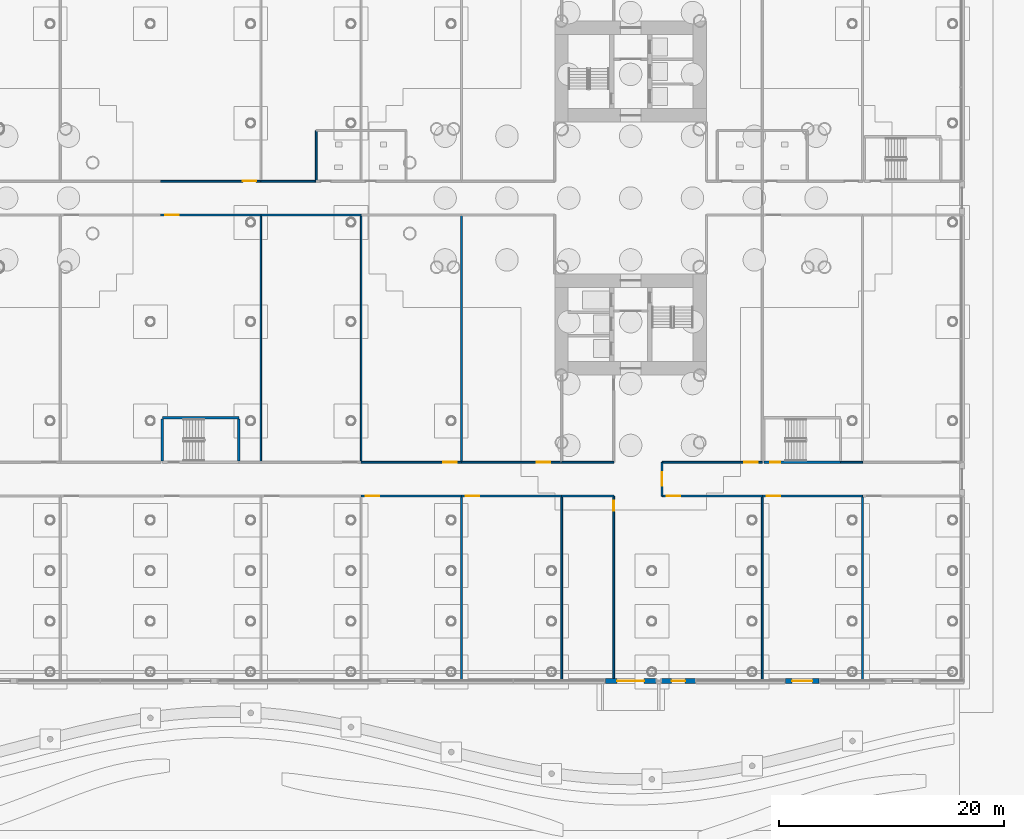
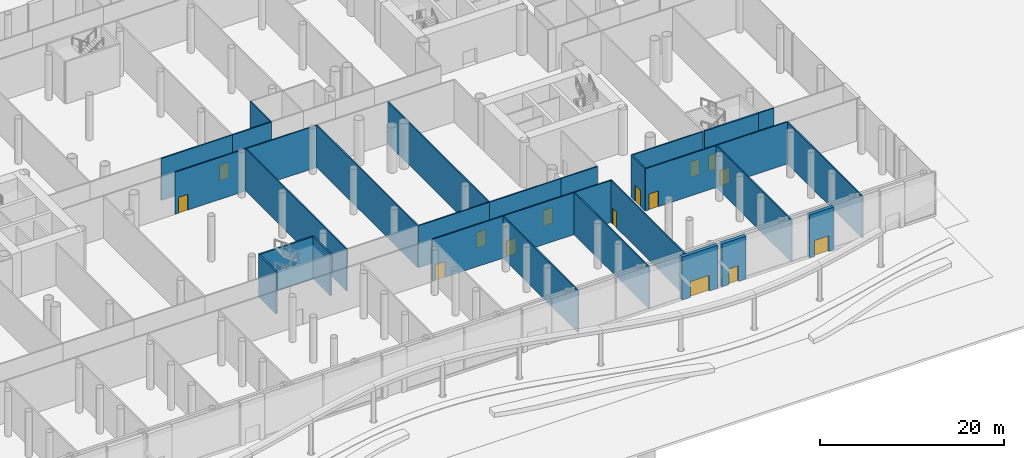
# One storey, part 31 of 75: 31 walls, 15 doors, 15 openings.
"""IFC4 building model written with IfcOpenShell, lengths in metres."""

import ifcopenshell
import ifcopenshell.guid

model = None  # the IFC model being written
_history = None  # IfcOwnerHistory: only IFC2X3 demands one
_inside = {}  # id of a spatial element -> (the spatial element, [elements in it])
_under = {}  # id of a project, library or spatial element -> (it, [spatial elements below it])
_declared = {}  # id of a project -> (the project, [libraries it declares])
_typed = {}  # id of a type object -> (the type object, [elements of that type])
_made_of = {}  # id of a material, layer set ... -> (it, [elements and type objects made of it])


def new_model(schema):
    """Start an empty IFC model of exactly this schema.

    Asked for "IFC4X3", IfcOpenShell would pick the latest addendum, in which some entities
    have other attributes; the version numbers below select the first issue.
    IFC2X3 requires an IfcOwnerHistory on every rooted entity: one is made here for all.
    """
    global model, _history
    if schema == "IFC4X3":
        model = ifcopenshell.file(schema_version=(4, 3, 0, 0))
    else:
        model = ifcopenshell.file(schema=schema)
    _inside.clear()
    _under.clear()
    _declared.clear()
    _typed.clear()
    _made_of.clear()
    _history = None
    if model.schema == "IFC2X3":
        org = make("IfcOrganization", Name="unknown")
        user = make(
            "IfcPersonAndOrganization",
            ThePerson=make("IfcPerson", FamilyName="unknown"),
            TheOrganization=org,
        )
        app = make(
            "IfcApplication",
            ApplicationDeveloper=org,
            Version="unknown",
            ApplicationFullName="unknown",
            ApplicationIdentifier="unknown",
        )
        _history = make(
            "IfcOwnerHistory",
            OwningUser=user,
            OwningApplication=app,
            ChangeAction="ADDED",
            CreationDate=0,
        )
    return model


def make(cls, **values):
    """One entity of the class cls with the attributes given. An attribute that is None is left unset."""
    return model.create_entity(
        cls, **{name: value for name, value in values.items() if value is not None}
    )


def rooted(cls, **values):
    """An entity with a GlobalId (a new one), such as an element, a storey or a relation."""
    return make(cls, GlobalId=ifcopenshell.guid.new(), OwnerHistory=_history, **values)


def si_unit(unit_type, name, prefix=None):
    """IfcSIUnit, for example si_unit("LENGTHUNIT", "METRE", prefix="MILLI")."""
    return make("IfcSIUnit", UnitType=unit_type, Prefix=prefix, Name=name)


def assignment(units):
    """IfcUnitAssignment: the units of a project."""
    return None if units is None else make("IfcUnitAssignment", Units=units)


def point(xyz):
    """IfcCartesianPoint."""
    return None if xyz is None else make("IfcCartesianPoint", Coordinates=xyz)


def direction(xyz):
    """IfcDirection."""
    return None if xyz is None else make("IfcDirection", DirectionRatios=xyz)


def frame(location, z_axis=None, x_axis=None):
    """IfcAxis2Placement3D, a coordinate frame: its origin and axes. An axis left out is left unset."""
    return make(
        "IfcAxis2Placement3D",
        Location=point(location),
        Axis=direction(z_axis),
        RefDirection=direction(x_axis),
    )


def frame_2d(location, x_axis=None):
    """IfcAxis2Placement2D, a coordinate frame in the plane: its origin and x axis."""
    return make(
        "IfcAxis2Placement2D", Location=point(location), RefDirection=direction(x_axis)
    )


def origin():
    """The frame at (0, 0, 0) with its axes left unset."""
    return frame((0.0, 0.0, 0.0))


def place(relative_to, where):
    """IfcLocalPlacement: puts the frame where relative to a parent placement (None: the world)."""
    return make(
        "IfcLocalPlacement", PlacementRelTo=relative_to, RelativePlacement=where
    )


def context(
    kind, dimensions, precision=None, world=None, true_north=None, identifier=None
):
    """IfcGeometricRepresentationContext, for example the 3D "Model" context."""
    return make(
        "IfcGeometricRepresentationContext",
        ContextIdentifier=identifier,
        ContextType=kind,
        CoordinateSpaceDimension=dimensions,
        Precision=precision,
        WorldCoordinateSystem=world,
        TrueNorth=true_north,
    )


def subcontext(parent, identifier, kind, view, scale=None):
    """IfcGeometricRepresentationSubContext, for example "Body" below "Model"."""
    return make(
        "IfcGeometricRepresentationSubContext",
        ContextIdentifier=identifier,
        ContextType=kind,
        ParentContext=parent,
        TargetScale=scale,
        TargetView=view,
    )


def project(units=None, contexts=None):
    """IfcProject with its units and contexts."""
    return rooted(
        "IfcProject",
        Name="project",
        RepresentationContexts=contexts,
        UnitsInContext=assignment(units),
    )


def spatial(cls, under=None, at=None, **own):
    """A site, building, storey or space (cls), placed at a placement, below another one or the project."""
    s = rooted(cls, ObjectPlacement=at, **own)
    if under is not None:
        _under.setdefault(under.id(), (under, []))[1].append(s)
    return s


def profile(cls, at=None, kind="AREA", **sizes):
    """A parametric profile (cls). Its sizes go by their IFC names, for example OverallWidth=200.0."""
    return make(cls, ProfileType=kind, Position=at, **sizes)


def rectangle(**sizes):
    """IfcRectangleProfileDef."""
    return profile("IfcRectangleProfileDef", **sizes)


def extrude(swept, where, along, depth):
    """IfcExtrudedAreaSolid: the profile swept, set in the frame where, extruded along a direction by depth."""
    return make(
        "IfcExtrudedAreaSolid",
        SweptArea=swept,
        Position=where,
        ExtrudedDirection=direction(along),
        Depth=depth,
    )


def shape(context_of_items, identifier, shape_type, items):
    """IfcShapeRepresentation: the items that make up one representation, for example the "Body"."""
    return make(
        "IfcShapeRepresentation",
        ContextOfItems=context_of_items,
        RepresentationIdentifier=identifier,
        RepresentationType=shape_type,
        Items=items,
    )


def material(Name=None, Category=None):
    """IfcMaterial."""
    return make("IfcMaterial", Name=Name, Category=Category)


def layer(
    of_material, thickness, ventilated=None, Name=None, Category=None, Priority=None
):
    """IfcMaterialLayer: one layer of a wall or slab, of a material (None: an air gap)."""
    return make(
        "IfcMaterialLayer",
        Material=of_material,
        LayerThickness=thickness,
        IsVentilated=ventilated,
        Name=Name,
        Category=Category,
        Priority=Priority,
    )


def layer_set(layers, Name=None):
    """IfcMaterialLayerSet."""
    return make("IfcMaterialLayerSet", MaterialLayers=layers, LayerSetName=Name)


def made_of(thing, what):
    """Note that an element or type object is made of a material, layer set ...; save() writes the relation."""
    if what is not None:
        _made_of.setdefault(what.id(), (what, []))[1].append(thing)
    return thing


def type_object(cls, material=None, **own):
    """A type object (cls), such as IfcWallType, which elements share."""
    return made_of(rooted(cls, **own), material)


def element(
    cls,
    number,
    at=None,
    inside=None,
    cuts=None,
    type_object=None,
    material=None,
    context=None,
    identifier="Body",
    shape_type=None,
    held_by="IfcProductDefinitionShape",
    body=None,
    shapes=None,
    **own,
):
    """One element of the class cls, such as IfcWall. Its Tag is "e" and its number.

    at: its placement. inside: the storey or other place that contains it. cuts: it is an
    opening in that element (IfcRelVoidsElement). A single representation is given by context,
    identifier, shape_type and body (its items); several are given by shapes. held_by: the class
    of the entity that holds the representations. save() writes the other relations.
    """
    e = rooted(cls, Tag="e%d" % number, ObjectPlacement=at, **own)
    if body is not None:
        shapes = [shape(context, identifier, shape_type, body)]
    if shapes is not None:
        e.Representation = make(held_by, Representations=shapes)
    if inside is not None:
        _inside.setdefault(inside.id(), (inside, []))[1].append(e)
    if cuts is not None:
        rooted(
            "IfcRelVoidsElement", RelatingBuildingElement=cuts, RelatedOpeningElement=e
        )
    if type_object is not None:
        _typed.setdefault(type_object.id(), (type_object, []))[1].append(e)
    return made_of(e, material)


def fill(opening, filler):
    """IfcRelFillsElement: the door or window that sits in an opening."""
    return rooted(
        "IfcRelFillsElement",
        RelatingOpeningElement=opening,
        RelatedBuildingElement=filler,
    )


def aggregate(whole, parts):
    """IfcRelAggregates: a whole, such as a stair, and the parts it consists of."""
    return rooted("IfcRelAggregates", RelatingObject=whole, RelatedObjects=parts)


def save(model, path):
    """Write the relations noted so far, then the file.

    IfcRelAggregates (storeys below a building ...), IfcRelContainedInSpatialStructure (elements
    in a storey), IfcRelDefinesByType, IfcRelAssociatesMaterial and IfcRelDeclares: one each for
    every whole, place, type object, material and project.
    """
    for whole, parts in _under.values():
        aggregate(whole, parts)
    for where, things in _inside.values():
        rooted(
            "IfcRelContainedInSpatialStructure",
            RelatedElements=things,
            RelatingStructure=where,
        )
    for kind, things in _typed.values():
        rooted("IfcRelDefinesByType", RelatedObjects=things, RelatingType=kind)
    for what, things in _made_of.values():
        rooted("IfcRelAssociatesMaterial", RelatedObjects=things, RelatingMaterial=what)
    for by, libraries in _declared.values():
        rooted("IfcRelDeclares", RelatingContext=by, RelatedDefinitions=libraries)
    model.write(path)


model = new_model("IFC4")

# Units and contexts
model_context = context("Model", 3, precision=1e-05, world=origin(), true_north=direction((0.0, 1.0)))
body_context = subcontext(model_context, "Body", "Model", "MODEL_VIEW")
ifc_project = project(units=[si_unit("LENGTHUNIT", "METRE"), si_unit("AREAUNIT", "SQUARE_METRE"), si_unit("VOLUMEUNIT", "CUBIC_METRE"), si_unit("PLANEANGLEUNIT", "RADIAN"), si_unit("MASSUNIT", "GRAM", prefix="KILO")], contexts=[model_context])

# Site, building, storey
site_placement = place(None, origin())
site = spatial("IfcSite", under=ifc_project, at=site_placement, CompositionType="ELEMENT")
building_placement = place(site_placement, origin())
building = spatial("IfcBuilding", under=site, at=building_placement, Name="Ipe Terrace Towers", CompositionType="ELEMENT")
storey_placement = place(building_placement, origin())
storey = spatial("IfcBuildingStorey", under=building, at=storey_placement, Name="L00", CompositionType="ELEMENT", Elevation=0.0)

# Wall, opening, door
ifc_material_1 = material(Name="Gypsum board partition", Category="plasterboard")
ifc_layer_1 = layer(ifc_material_1, 0.14990234375)
ifc_layer_set_1 = layer_set([ifc_layer_1], Name="Gypsum board partition 150 mm")
wall_type_1 = type_object("IfcWallType", Name="Gypsum board partition 150 mm", PredefinedType="PARTITIONING", material=ifc_layer_set_1)
wall_1_placement = place(storey_placement, frame((-5.81005859375, -1.5, 0.0), z_axis=(0.0, 0.0, 1.0), x_axis=(1.0, 0.0, 0.0)))
wall_1 = element("IfcWall", 1, at=wall_1_placement, inside=storey, type_object=wall_type_1, Name="Gypsum board partition T2 L00 pd-r30-w4", PredefinedType="PARTITIONING", context=body_context, shape_type="SweptSolid", body=[
    extrude(rectangle(XDim=8.920166015625, YDim=0.14990234375, at=frame_2d((4.4599609375, 0.0))), origin(), (0.0, 0.0, 1.0), 5.580078125),
])
opening_1_placement = place(wall_1_placement, frame((0.39990234375, 0.0, 0.0)))
opening_1 = element("IfcOpeningElement", 2, at=opening_1_placement, cuts=wall_1, Name="Opening PD-L00-r30", PredefinedType="OPENING", context=body_context, shape_type="SweptSolid", body=[
    extrude(rectangle(XDim=1.199951171875, YDim=2.10009765625, at=frame_2d((0.60009765625, 1.050048828125))), frame((0.0, 0.0849609375, 0.0), z_axis=(0.0, -1.0, 0.0), x_axis=(1.0, 0.0, 0.0)), (0.0, 0.0, 1.0), 0.169921875),
])
ifc_material_2 = material(Name="Fire-rated timber door leaf", Category="wood")
door_type_1 = type_object("IfcDoorType", Name="Lounge door 1200 x 2100 FD30S", OperationType="NOTDEFINED", PredefinedType="DOOR", material=ifc_material_2)
door_1_placement = place(opening_1_placement, origin())
door_1 = element("IfcDoor", 3, at=door_1_placement, inside=storey, type_object=door_type_1, Name="Lounge door PD-L00-r30", OperationType="SINGLE_SWING_RIGHT", OverallHeight=2.10009765625, OverallWidth=1.199951171875, PredefinedType="DOOR", context=body_context, shape_type="SweptSolid", body=[
    extrude(rectangle(XDim=1.199951171875, YDim=2.10009765625, at=frame_2d((0.60009765625, 1.050048828125))), frame((0.0, 0.02490234375, 0.0), z_axis=(0.0, -1.0, 0.0), x_axis=(1.0, 0.0, 0.0)), (0.0, 0.0, 1.0), 0.050048828125),
])
fill(opening_1, door_1)

# Wall
wall_2_placement = place(storey_placement, frame((3.110107421875, -1.5, 0.0), z_axis=(0.0, 0.0, 1.0), x_axis=(0.0, -1.0, 0.0)))
element("IfcWall", 4, at=wall_2_placement, inside=storey, type_object=wall_type_1, Name="Gypsum board partition T2 L00 pd-r30-r34-w6", PredefinedType="PARTITIONING", context=body_context, shape_type="SweptSolid", body=[
    extrude(rectangle(XDim=22.0, YDim=0.14990234375, at=frame_2d((11.0, 0.0))), origin(), (0.0, 0.0, 1.0), 5.580078125),
])

# Wall, opening, door
wall_3_placement = place(storey_placement, frame((3.110107421875, 1.5, 0.0), z_axis=(0.0, 0.0, 1.0), x_axis=(-1.0, 0.0, 0.0)))
wall_3 = element("IfcWall", 5, at=wall_3_placement, inside=storey, type_object=wall_type_1, Name="Gypsum board partition T2 L00 pd-r31-w8", PredefinedType="PARTITIONING", context=body_context, shape_type="SweptSolid", body=[
    extrude(rectangle(XDim=8.920166015625, YDim=0.14990234375, at=frame_2d((4.4599609375, 0.0))), origin(), (0.0, 0.0, 1.0), 5.580078125),
])
opening_2_placement = place(wall_3_placement, frame((0.39990234375, 0.0, 0.0)))
opening_2 = element("IfcOpeningElement", 6, at=opening_2_placement, cuts=wall_3, Name="Opening PD-L00-r31", PredefinedType="OPENING", context=body_context, shape_type="SweptSolid", body=[
    extrude(rectangle(XDim=1.199951171875, YDim=2.10009765625, at=frame_2d((0.60009765625, 1.050048828125))), frame((0.0, 0.0849609375, 0.0), z_axis=(0.0, -1.0, 0.0), x_axis=(1.0, 0.0, 0.0)), (0.0, 0.0, 1.0), 0.169921875),
])
door_2_placement = place(opening_2_placement, origin())
door_2 = element("IfcDoor", 7, at=door_2_placement, inside=storey, type_object=door_type_1, Name="Lounge door PD-L00-r31", OperationType="SINGLE_SWING_RIGHT", OverallHeight=2.10009765625, OverallWidth=1.199951171875, PredefinedType="DOOR", context=body_context, shape_type="SweptSolid", body=[
    extrude(rectangle(XDim=1.199951171875, YDim=2.10009765625, at=frame_2d((0.60009765625, 1.050048828125))), frame((0.0, 0.02490234375, 0.0), z_axis=(0.0, -1.0, 0.0), x_axis=(1.0, 0.0, 0.0)), (0.0, 0.0, 1.0), 0.050048828125),
])
fill(opening_2, door_2)

# Walls
wall_4_placement = place(storey_placement, frame((8.030029296875, 1.5, 0.0), z_axis=(0.0, 0.0, 1.0), x_axis=(-1.0, 0.0, 0.0)))
element("IfcWall", 8, at=wall_4_placement, inside=storey, type_object=wall_type_1, Name="Gypsum board partition T2 L00 pd-r32-w10", PredefinedType="PARTITIONING", context=body_context, shape_type="SweptSolid", body=[
    extrude(rectangle(XDim=4.919921875, YDim=0.14990234375, at=frame_2d((2.4599609375, 0.0))), origin(), (0.0, 0.0, 1.0), 5.580078125),
])
wall_5_placement = place(storey_placement, frame((3.110107421875, -1.5, 0.0), z_axis=(0.0, 0.0, 1.0), x_axis=(1.0, 0.0, 0.0)))
element("IfcWall", 9, at=wall_5_placement, inside=storey, type_object=wall_type_1, Name="Gypsum board partition T2 L00 pd-r34-w16", PredefinedType="PARTITIONING", context=body_context, shape_type="SweptSolid", body=[
    extrude(rectangle(XDim=8.919921875, YDim=0.14990234375, at=frame_2d((4.4599609375, 0.0))), origin(), (0.0, 0.0, 1.0), 5.580078125),
])
wall_6_placement = place(storey_placement, frame((12.030029296875, -1.5, 0.0), z_axis=(0.0, 0.0, 1.0), x_axis=(0.0, -1.0, 0.0)))
element("IfcWall", 10, at=wall_6_placement, inside=storey, type_object=wall_type_1, Name="Gypsum board partition T2 L00 pd-r34-r37-w17", PredefinedType="PARTITIONING", context=body_context, shape_type="SweptSolid", body=[
    extrude(rectangle(XDim=22.0, YDim=0.14990234375, at=frame_2d((11.0, 0.0))), origin(), (0.0, 0.0, 1.0), 5.580078125),
])

# Wall, opening, door
wall_7_placement = place(storey_placement, frame((12.030029296875, -26.5, 0.0), z_axis=(0.0, 0.0, 1.0), x_axis=(1.0, 0.0, 0.0)))
wall_7 = element("IfcWall", 11, at=wall_7_placement, inside=storey, type_object=wall_type_1, Name="Gypsum board partition T2 L00 pd-r36-w20", PredefinedType="PARTITIONING", context=body_context, shape_type="SweptSolid", body=[
    extrude(rectangle(XDim=8.919921875, YDim=0.14990234375, at=frame_2d((4.4599609375, 0.0))), origin(), (0.0, 0.0, 1.0), 5.580078125),
])
opening_3_placement = place(wall_7_placement, frame((0.39990234375, 0.0, 0.0)))
opening_3 = element("IfcOpeningElement", 12, at=opening_3_placement, cuts=wall_7, Name="Opening PD-L00-r36", PredefinedType="OPENING", context=body_context, shape_type="SweptSolid", body=[
    extrude(rectangle(XDim=1.199951171875, YDim=2.10009765625, at=frame_2d((0.60009765625, 1.050048828125))), frame((0.0, 0.0849609375, 0.0), z_axis=(0.0, -1.0, 0.0), x_axis=(1.0, 0.0, 0.0)), (0.0, 0.0, 1.0), 0.169921875),
])
door_3_placement = place(opening_3_placement, origin())
door_3 = element("IfcDoor", 13, at=door_3_placement, inside=storey, type_object=door_type_1, Name="Lounge door PD-L00-r36", OperationType="SINGLE_SWING_RIGHT", OverallHeight=2.10009765625, OverallWidth=1.199951171875, PredefinedType="DOOR", context=body_context, shape_type="SweptSolid", body=[
    extrude(rectangle(XDim=1.199951171875, YDim=2.10009765625, at=frame_2d((0.60009765625, 1.050048828125))), frame((0.0, 0.02490234375, 0.0), z_axis=(0.0, -1.0, 0.0), x_axis=(1.0, 0.0, 0.0)), (0.0, 0.0, 1.0), 0.050048828125),
])
fill(opening_3, door_3)

# Wall
wall_8_placement = place(storey_placement, frame((20.949951171875, -26.5, 0.0), z_axis=(0.0, 0.0, 1.0), x_axis=(0.0, -1.0, 0.0)))
element("IfcWall", 14, at=wall_8_placement, inside=storey, type_object=wall_type_1, Name="Gypsum board partition T2 L00 pd-r36-r42-w21", PredefinedType="PARTITIONING", context=body_context, shape_type="SweptSolid", body=[
    extrude(rectangle(XDim=16.35009765625, YDim=0.14990234375, at=frame_2d((8.175048828125, 0.0))), origin(), (0.0, 0.0, 1.0), 5.580078125),
])

# Wall, opening, door
wall_9_placement = place(storey_placement, frame((20.949951171875, -23.5, 0.0), z_axis=(0.0, 0.0, 1.0), x_axis=(-1.0, 0.0, 0.0)))
wall_9 = element("IfcWall", 15, at=wall_9_placement, inside=storey, type_object=wall_type_1, Name="Gypsum board partition T2 L00 pd-r37-w22", PredefinedType="PARTITIONING", context=body_context, shape_type="SweptSolid", body=[
    extrude(rectangle(XDim=8.919921875, YDim=0.14990234375, at=frame_2d((4.4599609375, 0.0))), origin(), (0.0, 0.0, 1.0), 5.580078125),
])
opening_4_placement = place(wall_9_placement, frame((0.39990234375, 0.0, 0.0)))
opening_4 = element("IfcOpeningElement", 16, at=opening_4_placement, cuts=wall_9, Name="Opening PD-L00-r37", PredefinedType="OPENING", context=body_context, shape_type="SweptSolid", body=[
    extrude(rectangle(XDim=1.199951171875, YDim=2.10009765625, at=frame_2d((0.60009765625, 1.050048828125))), frame((0.0, 0.0849609375, 0.0), z_axis=(0.0, -1.0, 0.0), x_axis=(1.0, 0.0, 0.0)), (0.0, 0.0, 1.0), 0.169921875),
])
door_4_placement = place(opening_4_placement, origin())
door_4 = element("IfcDoor", 17, at=door_4_placement, inside=storey, type_object=door_type_1, Name="Lounge door PD-L00-r37", OperationType="SINGLE_SWING_RIGHT", OverallHeight=2.10009765625, OverallWidth=1.199951171875, PredefinedType="DOOR", context=body_context, shape_type="SweptSolid", body=[
    extrude(rectangle(XDim=1.199951171875, YDim=2.10009765625, at=frame_2d((0.60009765625, 1.050048828125))), frame((0.0, 0.02490234375, 0.0), z_axis=(0.0, -1.0, 0.0), x_axis=(1.0, 0.0, 0.0)), (0.0, 0.0, 1.0), 0.050048828125),
])
fill(opening_4, door_4)

# Wall
wall_10_placement = place(storey_placement, frame((20.949951171875, -1.5, 0.0), z_axis=(0.0, 0.0, 1.0), x_axis=(0.0, -1.0, 0.0)))
element("IfcWall", 18, at=wall_10_placement, inside=storey, type_object=wall_type_1, Name="Gypsum board partition T2 L00 pd-r37-r40-w24", PredefinedType="PARTITIONING", context=body_context, shape_type="SweptSolid", body=[
    extrude(rectangle(XDim=22.0, YDim=0.14990234375, at=frame_2d((11.0, 0.0))), origin(), (0.0, 0.0, 1.0), 5.580078125),
])

# Wall, opening, door
wall_11_placement = place(storey_placement, frame((29.8701171875, -23.5, 0.0), z_axis=(0.0, 0.0, 1.0), x_axis=(-1.0, 0.0, 0.0)))
wall_11 = element("IfcWall", 19, at=wall_11_placement, inside=storey, type_object=wall_type_1, Name="Gypsum board partition T2 L00 pd-r40-w31", PredefinedType="PARTITIONING", context=body_context, shape_type="SweptSolid", body=[
    extrude(rectangle(XDim=8.920166015625, YDim=0.14990234375, at=frame_2d((4.4599609375, 0.0))), origin(), (0.0, 0.0, 1.0), 5.580078125),
])
opening_5_placement = place(wall_11_placement, frame((1.0, 0.0, 0.0)))
opening_5 = element("IfcOpeningElement", 20, at=opening_5_placement, cuts=wall_11, Name="Opening PD-L00-r40", PredefinedType="OPENING", context=body_context, shape_type="SweptSolid", body=[
    extrude(rectangle(XDim=1.199951171875, YDim=2.10009765625, at=frame_2d((0.60009765625, 1.050048828125))), frame((0.0, 0.0849609375, 0.0), z_axis=(0.0, -1.0, 0.0), x_axis=(1.0, 0.0, 0.0)), (0.0, 0.0, 1.0), 0.169921875),
])
door_5_placement = place(opening_5_placement, origin())
door_5 = element("IfcDoor", 21, at=door_5_placement, inside=storey, type_object=door_type_1, Name="Lounge door PD-L00-r40", OperationType="SINGLE_SWING_RIGHT", OverallHeight=2.10009765625, OverallWidth=1.199951171875, PredefinedType="DOOR", context=body_context, shape_type="SweptSolid", body=[
    extrude(rectangle(XDim=1.199951171875, YDim=2.10009765625, at=frame_2d((0.60009765625, 1.050048828125))), frame((0.0, 0.02490234375, 0.0), z_axis=(0.0, -1.0, 0.0), x_axis=(1.0, 0.0, 0.0)), (0.0, 0.0, 1.0), 0.050048828125),
])
fill(opening_5, door_5)

wall_12_placement = place(storey_placement, frame((20.949951171875, -26.5, 0.0), z_axis=(0.0, 0.0, 1.0), x_axis=(1.0, 0.0, 0.0)))
wall_12 = element("IfcWall", 22, at=wall_12_placement, inside=storey, type_object=wall_type_1, Name="Gypsum board partition T2 L00 pd-r42-w38", PredefinedType="PARTITIONING", context=body_context, shape_type="SweptSolid", body=[
    extrude(rectangle(XDim=8.920166015625, YDim=0.14990234375, at=frame_2d((4.4599609375, 0.0))), origin(), (0.0, 0.0, 1.0), 5.580078125),
])
opening_6_placement = place(wall_12_placement, frame((0.39990234375, 0.0, 0.0)))
opening_6 = element("IfcOpeningElement", 23, at=opening_6_placement, cuts=wall_12, Name="Opening PD-L00-r42", PredefinedType="OPENING", context=body_context, shape_type="SweptSolid", body=[
    extrude(rectangle(XDim=1.199951171875, YDim=2.10009765625, at=frame_2d((0.60009765625, 1.050048828125))), frame((0.0, 0.0849609375, 0.0), z_axis=(0.0, -1.0, 0.0), x_axis=(1.0, 0.0, 0.0)), (0.0, 0.0, 1.0), 0.169921875),
])
door_6_placement = place(opening_6_placement, origin())
door_6 = element("IfcDoor", 24, at=door_6_placement, inside=storey, type_object=door_type_1, Name="Lounge door PD-L00-r42", OperationType="SINGLE_SWING_RIGHT", OverallHeight=2.10009765625, OverallWidth=1.199951171875, PredefinedType="DOOR", context=body_context, shape_type="SweptSolid", body=[
    extrude(rectangle(XDim=1.199951171875, YDim=2.10009765625, at=frame_2d((0.60009765625, 1.050048828125))), frame((0.0, 0.02490234375, 0.0), z_axis=(0.0, -1.0, 0.0), x_axis=(1.0, 0.0, 0.0)), (0.0, 0.0, 1.0), 0.050048828125),
])
fill(opening_6, door_6)

# Walls
wall_13_placement = place(storey_placement, frame((29.8701171875, -26.5, 0.0), z_axis=(0.0, 0.0, 1.0), x_axis=(0.0, -1.0, 0.0)))
element("IfcWall", 25, at=wall_13_placement, inside=storey, type_object=wall_type_1, Name="Gypsum board partition T2 L00 pd-r42-r44-w39", PredefinedType="PARTITIONING", context=body_context, shape_type="SweptSolid", body=[
    extrude(rectangle(XDim=16.35009765625, YDim=0.14990234375, at=frame_2d((8.175048828125, 0.0))), origin(), (0.0, 0.0, 1.0), 5.580078125),
])
wall_14_placement = place(storey_placement, frame((29.8701171875, -26.5, 0.0), z_axis=(0.0, 0.0, 1.0), x_axis=(1.0, 0.0, 0.0)))
element("IfcWall", 26, at=wall_14_placement, inside=storey, type_object=wall_type_1, Name="Gypsum board partition T2 L00 pd-r44-w41", PredefinedType="PARTITIONING", context=body_context, shape_type="SweptSolid", body=[
    extrude(rectangle(XDim=4.6298828125, YDim=0.14990234375, at=frame_2d((2.31494140625, 0.0))), origin(), (0.0, 0.0, 1.0), 5.580078125),
])

# Wall, opening, door
wall_15_placement = place(storey_placement, frame((34.5, -26.5, 0.0), z_axis=(0.0, 0.0, 1.0), x_axis=(0.0, -1.0, 0.0)))
wall_15 = element("IfcWall", 27, at=wall_15_placement, inside=storey, type_object=wall_type_1, Name="Gypsum board partition T2 L00 pd-r44-w42", PredefinedType="PARTITIONING", context=body_context, shape_type="SweptSolid", body=[
    extrude(rectangle(XDim=16.35009765625, YDim=0.14990234375, at=frame_2d((8.175048828125, 0.0))), origin(), (0.0, 0.0, 1.0), 5.580078125),
])
opening_7_placement = place(wall_15_placement, frame((0.39990234375, 0.0, 0.0)))
opening_7 = element("IfcOpeningElement", 28, at=opening_7_placement, cuts=wall_15, Name="Opening PD-L00-r44", PredefinedType="OPENING", context=body_context, shape_type="SweptSolid", body=[
    extrude(rectangle(XDim=0.89990234375, YDim=2.10009765625, at=frame_2d((0.449951171875, 1.050048828125))), frame((0.0, 0.0849609375, 0.0), z_axis=(0.0, -1.0, 0.0), x_axis=(1.0, 0.0, 0.0)), (0.0, 0.0, 1.0), 0.169921875),
])
ifc_material_3 = material(Name="Fire-rated timber door leaf", Category="wood")
door_type_2 = type_object("IfcDoorType", Name="Lounge door 900 x 2100 FD30S", OperationType="NOTDEFINED", PredefinedType="DOOR", material=ifc_material_3)
door_7_placement = place(opening_7_placement, origin())
door_7 = element("IfcDoor", 29, at=door_7_placement, inside=storey, type_object=door_type_2, Name="Lounge door PD-L00-r44", OperationType="SINGLE_SWING_RIGHT", OverallHeight=2.10009765625, OverallWidth=0.89990234375, PredefinedType="DOOR", context=body_context, shape_type="SweptSolid", body=[
    extrude(rectangle(XDim=0.89990234375, YDim=2.10009765625, at=frame_2d((0.449951171875, 1.050048828125))), frame((0.0, 0.02490234375, 0.0), z_axis=(0.0, -1.0, 0.0), x_axis=(1.0, 0.0, 0.0)), (0.0, 0.0, 1.0), 0.050048828125),
])
fill(opening_7, door_7)

# Wall
wall_16_placement = place(storey_placement, frame((34.5, -23.5, 0.0), z_axis=(0.0, 0.0, 1.0), x_axis=(-1.0, 0.0, 0.0)))
element("IfcWall", 30, at=wall_16_placement, inside=storey, type_object=wall_type_1, Name="Gypsum board partition T2 L00 pd-r45-w44", PredefinedType="PARTITIONING", context=body_context, shape_type="SweptSolid", body=[
    extrude(rectangle(XDim=4.6298828125, YDim=0.14990234375, at=frame_2d((2.31494140625, 0.0))), origin(), (0.0, 0.0, 1.0), 5.580078125),
])

# Wall, opening, door
wall_17_placement = place(storey_placement, frame((38.7900390625, -26.5, 0.0), z_axis=(0.0, 0.0, 1.0), x_axis=(1.0, 0.0, 0.0)))
wall_17 = element("IfcWall", 31, at=wall_17_placement, inside=storey, type_object=wall_type_1, Name="Gypsum board partition T2 L00 pd-r47-w47", PredefinedType="PARTITIONING", context=body_context, shape_type="SweptSolid", body=[
    extrude(rectangle(XDim=8.919921875, YDim=0.14990234375, at=frame_2d((4.4599609375, 0.0))), origin(), (0.0, 0.0, 1.0), 5.580078125),
])
opening_8_placement = place(wall_17_placement, frame((0.39990234375, 0.0, 0.0)))
opening_8 = element("IfcOpeningElement", 32, at=opening_8_placement, cuts=wall_17, Name="Opening PD-L00-r47", PredefinedType="OPENING", context=body_context, shape_type="SweptSolid", body=[
    extrude(rectangle(XDim=1.199951171875, YDim=2.10009765625, at=frame_2d((0.60009765625, 1.050048828125))), frame((0.0, 0.0849609375, 0.0), z_axis=(0.0, -1.0, 0.0), x_axis=(1.0, 0.0, 0.0)), (0.0, 0.0, 1.0), 0.169921875),
])
door_8_placement = place(opening_8_placement, origin())
door_8 = element("IfcDoor", 33, at=door_8_placement, inside=storey, type_object=door_type_1, Name="Lounge door PD-L00-r47", OperationType="SINGLE_SWING_RIGHT", OverallHeight=2.10009765625, OverallWidth=1.199951171875, PredefinedType="DOOR", context=body_context, shape_type="SweptSolid", body=[
    extrude(rectangle(XDim=1.199951171875, YDim=2.10009765625, at=frame_2d((0.60009765625, 1.050048828125))), frame((0.0, 0.02490234375, 0.0), z_axis=(0.0, -1.0, 0.0), x_axis=(1.0, 0.0, 0.0)), (0.0, 0.0, 1.0), 0.050048828125),
])
fill(opening_8, door_8)

# Wall
wall_18_placement = place(storey_placement, frame((47.7099609375, -26.5, 0.0), z_axis=(0.0, 0.0, 1.0), x_axis=(0.0, -1.0, 0.0)))
element("IfcWall", 34, at=wall_18_placement, inside=storey, type_object=wall_type_1, Name="Gypsum board partition T2 L00 pd-r47-r51-w48", PredefinedType="PARTITIONING", context=body_context, shape_type="SweptSolid", body=[
    extrude(rectangle(XDim=16.35009765625, YDim=0.14990234375, at=frame_2d((8.175048828125, 0.0))), origin(), (0.0, 0.0, 1.0), 5.580078125),
])

# Wall, opening, door
wall_19_placement = place(storey_placement, frame((47.7099609375, -23.5, 0.0), z_axis=(0.0, 0.0, 1.0), x_axis=(-1.0, 0.0, 0.0)))
wall_19 = element("IfcWall", 35, at=wall_19_placement, inside=storey, type_object=wall_type_1, Name="Gypsum board partition T2 L00 pd-r50-w57", PredefinedType="PARTITIONING", context=body_context, shape_type="SweptSolid", body=[
    extrude(rectangle(XDim=8.919921875, YDim=0.14990234375, at=frame_2d((4.4599609375, 0.0))), origin(), (0.0, 0.0, 1.0), 5.580078125),
])
opening_9_placement = place(wall_19_placement, frame((0.39990234375, 0.0, 0.0)))
opening_9 = element("IfcOpeningElement", 36, at=opening_9_placement, cuts=wall_19, Name="Opening PD-L00-r50", PredefinedType="OPENING", context=body_context, shape_type="SweptSolid", body=[
    extrude(rectangle(XDim=1.199951171875, YDim=2.10009765625, at=frame_2d((0.60009765625, 1.050048828125))), frame((0.0, 0.0849609375, 0.0), z_axis=(0.0, -1.0, 0.0), x_axis=(1.0, 0.0, 0.0)), (0.0, 0.0, 1.0), 0.169921875),
])
door_9_placement = place(opening_9_placement, origin())
door_9 = element("IfcDoor", 37, at=door_9_placement, inside=storey, type_object=door_type_1, Name="Lounge door PD-L00-r50", OperationType="SINGLE_SWING_RIGHT", OverallHeight=2.10009765625, OverallWidth=1.199951171875, PredefinedType="DOOR", context=body_context, shape_type="SweptSolid", body=[
    extrude(rectangle(XDim=1.199951171875, YDim=2.10009765625, at=frame_2d((0.60009765625, 1.050048828125))), frame((0.0, 0.02490234375, 0.0), z_axis=(0.0, -1.0, 0.0), x_axis=(1.0, 0.0, 0.0)), (0.0, 0.0, 1.0), 0.050048828125),
])
fill(opening_9, door_9)

wall_20_placement = place(storey_placement, frame((47.7099609375, -26.5, 0.0), z_axis=(0.0, 0.0, 1.0), x_axis=(1.0, 0.0, 0.0)))
wall_20 = element("IfcWall", 38, at=wall_20_placement, inside=storey, type_object=wall_type_1, Name="Gypsum board partition T2 L00 pd-r51-w59", PredefinedType="PARTITIONING", context=body_context, shape_type="SweptSolid", body=[
    extrude(rectangle(XDim=8.919921875, YDim=0.14990234375, at=frame_2d((4.4599609375, 0.0))), origin(), (0.0, 0.0, 1.0), 5.580078125),
])
opening_10_placement = place(wall_20_placement, frame((0.39990234375, 0.0, 0.0)))
opening_10 = element("IfcOpeningElement", 39, at=opening_10_placement, cuts=wall_20, Name="Opening PD-L00-r51", PredefinedType="OPENING", context=body_context, shape_type="SweptSolid", body=[
    extrude(rectangle(XDim=1.199951171875, YDim=2.10009765625, at=frame_2d((0.60009765625, 1.050048828125))), frame((0.0, 0.0849609375, 0.0), z_axis=(0.0, -1.0, 0.0), x_axis=(1.0, 0.0, 0.0)), (0.0, 0.0, 1.0), 0.169921875),
])
door_10_placement = place(opening_10_placement, origin())
door_10 = element("IfcDoor", 40, at=door_10_placement, inside=storey, type_object=door_type_1, Name="Lounge door PD-L00-r51", OperationType="SINGLE_SWING_RIGHT", OverallHeight=2.10009765625, OverallWidth=1.199951171875, PredefinedType="DOOR", context=body_context, shape_type="SweptSolid", body=[
    extrude(rectangle(XDim=1.199951171875, YDim=2.10009765625, at=frame_2d((0.60009765625, 1.050048828125))), frame((0.0, 0.02490234375, 0.0), z_axis=(0.0, -1.0, 0.0), x_axis=(1.0, 0.0, 0.0)), (0.0, 0.0, 1.0), 0.050048828125),
])
fill(opening_10, door_10)

# Walls
wall_21_placement = place(storey_placement, frame((56.6298828125, -26.5, 0.0), z_axis=(0.0, 0.0, 1.0), x_axis=(0.0, -1.0, 0.0)))
element("IfcWall", 41, at=wall_21_placement, inside=storey, type_object=wall_type_1, Name="Gypsum board partition T2 L00 pd-r51-r55-w60", PredefinedType="PARTITIONING", context=body_context, shape_type="SweptSolid", body=[
    extrude(rectangle(XDim=16.35009765625, YDim=0.14990234375, at=frame_2d((8.175048828125, 0.0))), origin(), (0.0, 0.0, 1.0), 5.580078125),
])
wall_22_placement = place(storey_placement, frame((56.6298828125, -23.5, 0.0), z_axis=(0.0, 0.0, 1.0), x_axis=(-1.0, 0.0, 0.0)))
element("IfcWall", 42, at=wall_22_placement, inside=storey, type_object=wall_type_1, Name="Gypsum board partition T2 L00 pd-r53-w63", PredefinedType="PARTITIONING", context=body_context, shape_type="SweptSolid", body=[
    extrude(rectangle(XDim=1.9599609375, YDim=0.14990234375, at=frame_2d((0.97998046875, 0.0))), origin(), (0.0, 0.0, 1.0), 5.580078125),
])
wall_23_placement = place(storey_placement, frame((8.030029296875, 6.0, 0.0), z_axis=(0.0, 0.0, 1.0), x_axis=(0.0, -1.0, 0.0)))
element("IfcWall", 43, at=wall_23_placement, inside=storey, type_object=wall_type_1, Name="Gypsum board partition T2 L00 pd-c1-r32-w77", PredefinedType="PARTITIONING", context=body_context, shape_type="SweptSolid", body=[
    extrude(rectangle(XDim=4.5, YDim=0.14990234375, at=frame_2d((2.25, 0.0))), origin(), (0.0, 0.0, 1.0), 5.580078125),
])

# Wall, opening, door
wall_24_placement = place(storey_placement, frame((38.7900390625, -26.5, 0.0), z_axis=(0.0, 0.0, 1.0), x_axis=(0.0, 1.0, 0.0)))
wall_24 = element("IfcWall", 44, at=wall_24_placement, inside=storey, type_object=wall_type_1, Name="Gypsum board partition T2 L00 pd-xp6", PredefinedType="PARTITIONING", context=body_context, shape_type="SweptSolid", body=[
    extrude(rectangle(XDim=3.0, YDim=0.14990234375, at=frame_2d((1.5, 0.0))), origin(), (0.0, 0.0, 1.0), 5.580078125),
])
opening_11_placement = place(wall_24_placement, frame((0.89990234375, 0.0, 0.0)))
opening_11 = element("IfcOpeningElement", 45, at=opening_11_placement, cuts=wall_24, Name="Opening PD-L00-XP6", PredefinedType="OPENING", context=body_context, shape_type="SweptSolid", body=[
    extrude(rectangle(XDim=1.199951171875, YDim=2.10009765625, at=frame_2d((0.60009765625, 1.050048828125))), frame((0.0, 0.0849609375, 0.0), z_axis=(0.0, -1.0, 0.0), x_axis=(1.0, 0.0, 0.0)), (0.0, 0.0, 1.0), 0.169921875),
])
ifc_material_4 = material(Name="Fire-rated timber door leaf", Category="wood")
door_type_3 = type_object("IfcDoorType", Name="Fire door 1200 x 2100 FD60", OperationType="NOTDEFINED", PredefinedType="DOOR", material=ifc_material_4)
door_11_placement = place(opening_11_placement, origin())
door_11 = element("IfcDoor", 46, at=door_11_placement, inside=storey, type_object=door_type_3, Name="Fire door PD-L00-XP6", OperationType="SINGLE_SWING_RIGHT", OverallHeight=2.10009765625, OverallWidth=1.199951171875, PredefinedType="DOOR", context=body_context, shape_type="SweptSolid", body=[
    extrude(rectangle(XDim=1.199951171875, YDim=2.10009765625, at=frame_2d((0.60009765625, 1.050048828125))), frame((0.0, 0.02490234375, 0.0), z_axis=(0.0, -1.0, 0.0), x_axis=(1.0, 0.0, 0.0)), (0.0, 0.0, 1.0), 0.050048828125),
])
fill(opening_11, door_11)

ifc_material_5 = material(Name="Concrete C40/50 with buff precast cladding", Category="concrete")
ifc_layer_2 = layer(ifc_material_5, 0.43994140625)
ifc_layer_set_2 = layer_set([ifc_layer_2], Name="PODIUM CLADDING WALL 440")
wall_type_2 = type_object("IfcWallType", Name="PODIUM CLADDING WALL 440", PredefinedType="STANDARD", material=ifc_layer_set_2)
wall_25_placement = place(storey_placement, frame((33.75, -42.969970703125, 0.0), z_axis=(0.0, 0.0, 1.0), x_axis=(1.0, 0.0, 0.0)))
wall_25 = element("IfcWall", 47, at=wall_25_placement, inside=storey, type_object=wall_type_2, Name="POD-W-L00-03p wall", PredefinedType="STANDARD", context=body_context, shape_type="SweptSolid", body=[
    extrude(rectangle(XDim=4.5, YDim=0.43994140625, at=frame_2d((2.25, 0.0))), origin(), (0.0, 0.0, 1.0), 5.699951171875),
])
opening_12_placement = place(wall_25_placement, frame((1.050048828125, 0.0, 0.0)))
opening_12 = element("IfcOpeningElement", 48, at=opening_12_placement, cuts=wall_25, Name="Opening POD-D-L00-05", PredefinedType="OPENING", context=body_context, shape_type="SweptSolid", body=[
    extrude(rectangle(XDim=2.39990234375, YDim=2.10009765625, at=frame_2d((1.199951171875, 1.050048828125))), frame((0.0, 0.22998046875, 0.0), z_axis=(0.0, -1.0, 0.0), x_axis=(1.0, 0.0, 0.0)), (0.0, 0.0, 1.0), 0.4599609375),
])
ifc_material_6 = material(Name="Aluminium alloy 6063-T6 framed glazed door", Category="aluminium")
door_type_4 = type_object("IfcDoorType", Name="ENTRANCE DOOR 2400 DOUBLE", OperationType="DOUBLE_DOOR_DOUBLE_SWING", PredefinedType="DOOR", material=ifc_material_6)
door_12_placement = place(opening_12_placement, origin())
door_12 = element("IfcDoor", 49, at=door_12_placement, inside=storey, type_object=door_type_4, Name="DE1 entrance door", OperationType="DOUBLE_DOOR_DOUBLE_SWING", OverallHeight=2.10009765625, OverallWidth=2.39990234375, PredefinedType="DOOR", context=body_context, shape_type="SweptSolid", body=[
    extrude(rectangle(XDim=2.39990234375, YDim=2.10009765625, at=frame_2d((1.199951171875, 1.050048828125))), frame((0.0, 0.02490234375, 0.0), z_axis=(0.0, -1.0, 0.0), x_axis=(1.0, 0.0, 0.0)), (0.0, 0.0, 1.0), 0.050048828125),
])
fill(opening_12, door_12)

wall_26_placement = place(storey_placement, frame((38.75, -42.969970703125, 0.0), z_axis=(0.0, 0.0, 1.0), x_axis=(1.0, 0.0, 0.0)))
wall_26 = element("IfcWall", 50, at=wall_26_placement, inside=storey, type_object=wall_type_2, Name="POD-W-L00-03r wall", PredefinedType="STANDARD", context=body_context, shape_type="SweptSolid", body=[
    extrude(rectangle(XDim=3.0, YDim=0.43994140625, at=frame_2d((1.5, 0.0))), origin(), (0.0, 0.0, 1.0), 5.699951171875),
])
opening_13_placement = place(wall_26_placement, frame((0.89990234375, 0.0, 0.0)))
opening_13 = element("IfcOpeningElement", 51, at=opening_13_placement, cuts=wall_26, Name="Opening POD-D-L00-06", PredefinedType="OPENING", context=body_context, shape_type="SweptSolid", body=[
    extrude(rectangle(XDim=1.199951171875, YDim=2.10009765625, at=frame_2d((0.60009765625, 1.050048828125))), frame((0.0, 0.22998046875, 0.0), z_axis=(0.0, -1.0, 0.0), x_axis=(1.0, 0.0, 0.0)), (0.0, 0.0, 1.0), 0.4599609375),
])
ifc_material_7 = material(Name="Aluminium alloy 6063-T6 framed glazed door", Category="aluminium")
door_type_5 = type_object("IfcDoorType", Name="ACCESSIBLE ENTRANCE DOOR 1200 x 2100", OperationType="SINGLE_SWING_LEFT", PredefinedType="DOOR", material=ifc_material_7)
door_13_placement = place(opening_13_placement, origin())
door_13 = element("IfcDoor", 52, at=door_13_placement, inside=storey, type_object=door_type_5, Name="DE2 accessible entrance door", OperationType="SINGLE_SWING_LEFT", OverallHeight=2.10009765625, OverallWidth=1.199951171875, PredefinedType="DOOR", context=body_context, shape_type="SweptSolid", body=[
    extrude(rectangle(XDim=1.199951171875, YDim=2.10009765625, at=frame_2d((0.60009765625, 1.050048828125))), frame((0.0, 0.02490234375, 0.0), z_axis=(0.0, -1.0, 0.0), x_axis=(1.0, 0.0, 0.0)), (0.0, 0.0, 1.0), 0.050048828125),
])
fill(opening_13, door_13)

wall_27_placement = place(storey_placement, frame((49.77001953125, -42.969970703125, 0.0), z_axis=(0.0, 0.0, 1.0), x_axis=(1.0, 0.0, 0.0)))
wall_27 = element("IfcWall", 53, at=wall_27_placement, inside=storey, type_object=wall_type_2, Name="POD-W-L00-03t wall", PredefinedType="STANDARD", context=body_context, shape_type="SweptSolid", body=[
    extrude(rectangle(XDim=3.0, YDim=0.43994140625, at=frame_2d((1.5, 0.0))), origin(), (0.0, 0.0, 1.0), 5.699951171875),
])
opening_14_placement = place(wall_27_placement, frame((0.60009765625, 0.0, 0.0)))
opening_14 = element("IfcOpeningElement", 54, at=opening_14_placement, cuts=wall_27, Name="Opening POD-D-L00-02", PredefinedType="OPENING", context=body_context, shape_type="SweptSolid", body=[
    extrude(rectangle(XDim=1.800048828125, YDim=2.10009765625, at=frame_2d((0.89990234375, 1.050048828125))), frame((0.0, 0.22998046875, 0.0), z_axis=(0.0, -1.0, 0.0), x_axis=(1.0, 0.0, 0.0)), (0.0, 0.0, 1.0), 0.4599609375),
])
ifc_material_8 = material(Name="Aluminium alloy 6063-T6 framed glazed door", Category="aluminium")
door_type_6 = type_object("IfcDoorType", Name="STREET DOOR 1800 DOUBLE", OperationType="DOUBLE_DOOR_DOUBLE_SWING", PredefinedType="DOOR", material=ifc_material_8)
door_14_placement = place(opening_14_placement, origin())
door_14 = element("IfcDoor", 55, at=door_14_placement, inside=storey, type_object=door_type_6, Name="DS1 street door", OperationType="DOUBLE_DOOR_DOUBLE_SWING", OverallHeight=2.10009765625, OverallWidth=1.800048828125, PredefinedType="DOOR", context=body_context, shape_type="SweptSolid", body=[
    extrude(rectangle(XDim=1.800048828125, YDim=2.10009765625, at=frame_2d((0.89990234375, 1.050048828125))), frame((0.0, 0.02490234375, 0.0), z_axis=(0.0, -1.0, 0.0), x_axis=(1.0, 0.0, 0.0)), (0.0, 0.0, 1.0), 0.050048828125),
])
fill(opening_14, door_14)

# Walls
ifc_material_9 = material(Name="Concrete C40/50", Category="concrete")
ifc_layer_3 = layer(ifc_material_9, 0.199951171875)
ifc_layer_set_3 = layer_set([ifc_layer_3], Name="RW200 PODIUM STAIR SHAFT WALL 200 C40-50")
wall_type_3 = type_object("IfcWallType", Name="RW200 PODIUM STAIR SHAFT WALL 200 C40-50", PredefinedType="SHEAR", material=ifc_layer_set_3)
wall_28_placement = place(storey_placement, frame((-5.64990234375, -19.550048828125, 0.0), z_axis=(0.0, 0.0, 1.0), x_axis=(1.0, 0.0, 0.0)))
element("IfcWall", 56, at=wall_28_placement, inside=storey, type_object=wall_type_3, Name="Stair shaft wall T1 L00 ps5-f", PredefinedType="SHEAR", context=body_context, shape_type="SweptSolid", body=[
    extrude(rectangle(XDim=6.7998046875, YDim=0.199951171875, at=frame_2d((3.39990234375, 0.0))), origin(), (0.0, 0.0, 1.0), 5.580078125),
])
for number, where, z_axis, x_axis, name in (
    (57, (-5.64990234375, -23.39990234375, 0.0), (0.0, 0.0, 1.0), (0.0, 1.0, 0.0), "Stair shaft wall T1 L00 ps5-w"),
    (58, (1.14990234375, -23.39990234375, 0.0), (0.0, 0.0, 1.0), (0.0, 1.0, 0.0), "Stair shaft wall T1 L00 ps5-e"),
):
    element("IfcWall", number, at=place(storey_placement, frame(where, z_axis=z_axis, x_axis=x_axis)), inside=storey, type_object=wall_type_3, Name=name, PredefinedType="SHEAR", context=body_context, shape_type="SweptSolid", body=[
        extrude(rectangle(XDim=3.75, YDim=0.199951171875, at=frame_2d((1.875, 0.0))), origin(), (0.0, 0.0, 1.0), 5.580078125),
    ])

# Wall, opening, door
wall_29_placement = place(storey_placement, frame((47.8701171875, -23.5, 0.0), z_axis=(0.0, 0.0, 1.0), x_axis=(1.0, 0.0, 0.0)))
wall_29 = element("IfcWall", 59, at=wall_29_placement, inside=storey, type_object=wall_type_3, Name="Stair shaft wall T2 L00 ps6-c", PredefinedType="SHEAR", context=body_context, shape_type="SweptSolid", body=[
    extrude(rectangle(XDim=6.7998046875, YDim=0.199951171875, at=frame_2d((3.39990234375, 0.0))), origin(), (0.0, 0.0, 1.0), 5.580078125),
])
opening_15_placement = place(wall_29_placement, frame((0.550048828125, 0.0, 0.0)))
opening_15 = element("IfcOpeningElement", 60, at=opening_15_placement, cuts=wall_29, Name="Opening PS6-SD", PredefinedType="OPENING", context=body_context, shape_type="SweptSolid", body=[
    extrude(rectangle(XDim=0.89990234375, YDim=2.10009765625, at=frame_2d((0.449951171875, 1.050048828125))), frame((0.0, 0.10986328125, 0.0), z_axis=(0.0, -1.0, 0.0), x_axis=(1.0, 0.0, 0.0)), (0.0, 0.0, 1.0), 0.219970703125),
])
ifc_material_10 = material(Name="Fire-rated timber door leaf", Category="wood")
door_type_7 = type_object("IfcDoorType", Name="Stair door 900 x 2100 FD60", OperationType="NOTDEFINED", PredefinedType="DOOR", material=ifc_material_10)
door_15_placement = place(opening_15_placement, origin())
door_15 = element("IfcDoor", 61, at=door_15_placement, inside=storey, type_object=door_type_7, Name="Stair door PS6-SD", OperationType="SINGLE_SWING_RIGHT", OverallHeight=2.10009765625, OverallWidth=0.89990234375, PredefinedType="DOOR", context=body_context, shape_type="SweptSolid", body=[
    extrude(rectangle(XDim=0.89990234375, YDim=2.10009765625, at=frame_2d((0.449951171875, 1.050048828125))), frame((0.0, 0.02490234375, 0.0), z_axis=(0.0, -1.0, 0.0), x_axis=(1.0, 0.0, 0.0)), (0.0, 0.0, 1.0), 0.050048828125),
])
fill(opening_15, door_15)

save(model, "model.ifc")
